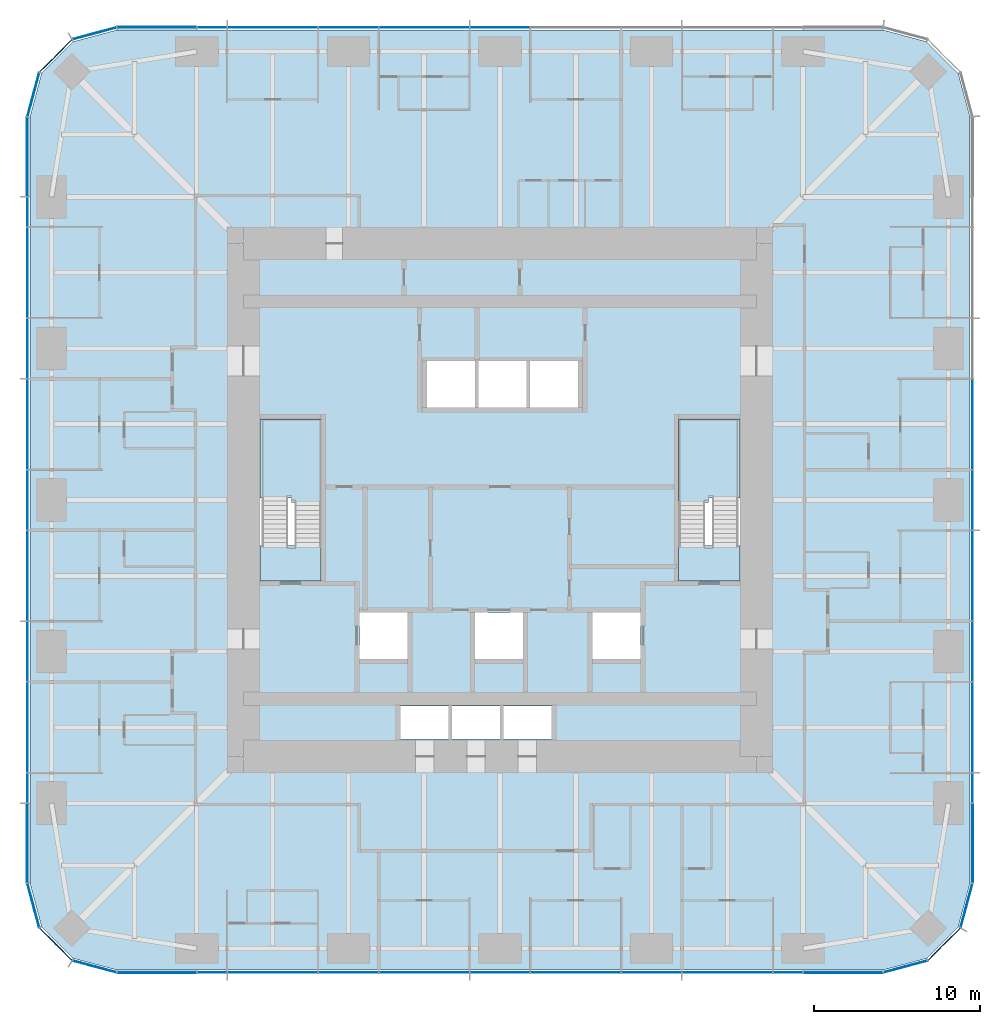
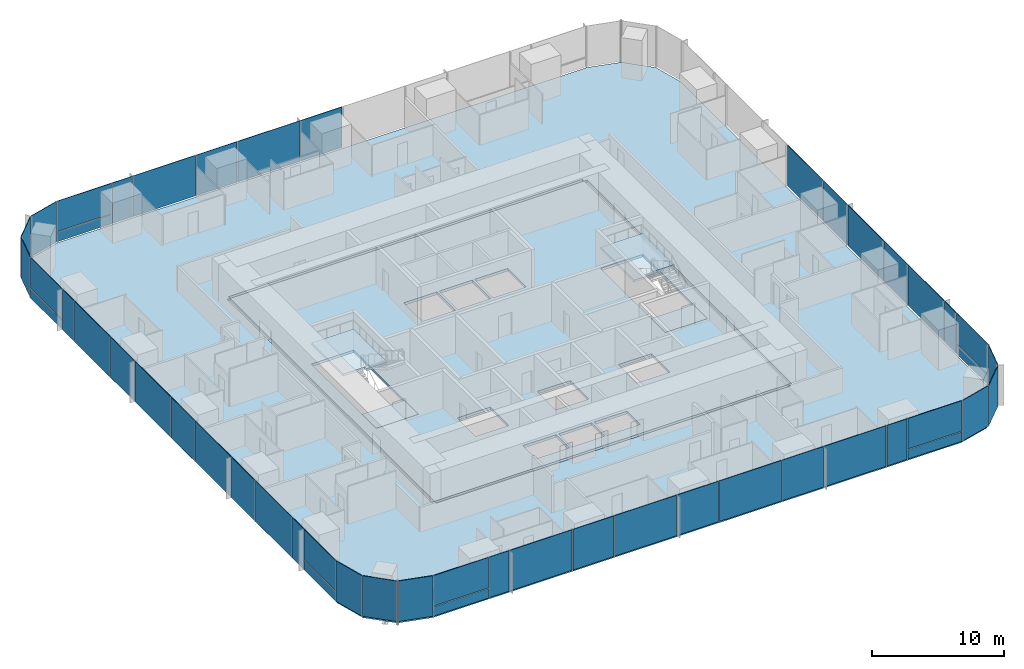
# One storey, part 7 of 13: 50 plates, 6 slabs, 9 elements without a shape of their own.
"""IFC4 building model written with IfcOpenShell, lengths in metres."""

from ifc_helpers import new_model, si_unit, direction, frame, origin, origin_2d, place, context, subcontext, project, spatial, polyline, rectangle, outline, extrude, material, layer, layer_set, type_object, element, aggregate, save


model = new_model("IFC4")

# Units and contexts
model_context = context("Model", 3, precision=1e-05, world=origin(), true_north=direction((0.0, 1.0)))
body_context = subcontext(model_context, "Body", "Model", "MODEL_VIEW")
ifc_project = project(units=[si_unit("LENGTHUNIT", "METRE"), si_unit("AREAUNIT", "SQUARE_METRE"), si_unit("VOLUMEUNIT", "CUBIC_METRE"), si_unit("PLANEANGLEUNIT", "RADIAN"), si_unit("MASSUNIT", "GRAM", prefix="KILO")], contexts=[model_context])

# Site, building, storey
site_placement = place(None, origin())
site = spatial("IfcSite", under=ifc_project, at=site_placement, CompositionType="ELEMENT")
building_placement = place(site_placement, origin())
building = spatial("IfcBuilding", under=site, at=building_placement, Name="Khuree Lantern Residences", CompositionType="ELEMENT")
storey_placement = place(building_placement, frame((0.0, 0.0, 159.75)))
storey = spatial("IfcBuildingStorey", under=building, at=storey_placement, Name="L40", CompositionType="ELEMENT", Elevation=159.75)

# Slab
ifc_material_1 = material(Name="Concrete C35/45", Category="concrete")
ifc_layer_1 = layer(ifc_material_1, 0.25)
ifc_layer_set_1 = layer_set([ifc_layer_1], Name="CFL250 CORE FLOOR SLAB 250")
slab_type_1 = type_object("IfcSlabType", Name="CFL250 CORE FLOOR SLAB 250", PredefinedType="FLOOR", material=ifc_layer_set_1)
slab_1_placement = place(storey_placement, frame((0.0, 0.0, -0.25)))
element("IfcSlab", 1, at=slab_1_placement, inside=storey, type_object=slab_type_1, Name="Core floor L40", PredefinedType="FLOOR", context=body_context, shape_type="SweptSolid", body=[
    extrude(outline(polyline([(-15.5, -15.5), (-15.5, 15.5), (15.5, 15.5), (15.5, -15.5), (-15.5, -15.5)]), holes=[polyline([(10.800048828125, 4.89990234375), (10.800048828125, -4.89990234375), (14.5, -4.89990234375), (14.5, 4.89990234375), (10.800048828125, 4.89990234375)]), polyline([(8.5, -6.800048828125), (5.60009765625, -6.800048828125), (5.60009765625, -9.60009765625), (8.5, -9.60009765625), (8.5, -6.800048828125)]), polyline([(4.699951171875, 8.39990234375), (1.800048828125, 8.39990234375), (1.800048828125, 5.60009765625), (4.699951171875, 5.60009765625), (4.699951171875, 8.39990234375)]), polyline([(3.10009765625, -12.449951171875), (0.199951171875, -12.449951171875), (0.199951171875, -14.449951171875), (3.10009765625, -14.449951171875), (3.10009765625, -12.449951171875)]), polyline([(1.60009765625, 8.39990234375), (-1.300048828125, 8.39990234375), (-1.300048828125, 5.60009765625), (1.60009765625, 5.60009765625), (1.60009765625, 8.39990234375)]), polyline([(1.39990234375, -6.800048828125), (-1.5, -6.800048828125), (-1.5, -9.60009765625), (1.39990234375, -9.60009765625), (1.39990234375, -6.800048828125)]), polyline([(-2.89990234375, -12.449951171875), (-2.89990234375, -14.449951171875), (0.0, -14.449951171875), (0.0, -12.449951171875), (-2.89990234375, -12.449951171875)]), polyline([(-4.39990234375, 8.39990234375), (-4.39990234375, 5.60009765625), (-1.5, 5.60009765625), (-1.5, 8.39990234375), (-4.39990234375, 8.39990234375)]), polyline([(-6.0, -12.449951171875), (-6.0, -14.449951171875), (-3.10009765625, -14.449951171875), (-3.10009765625, -12.449951171875), (-6.0, -12.449951171875)]), polyline([(-8.5, -6.800048828125), (-8.5, -9.60009765625), (-5.60009765625, -9.60009765625), (-5.60009765625, -6.800048828125), (-8.5, -6.800048828125)]), polyline([(-10.800048828125, 4.89990234375), (-14.5, 4.89990234375), (-14.5, -4.89990234375), (-10.800048828125, -4.89990234375), (-10.800048828125, 4.89990234375)])]), origin(), (0.0, 0.0, 1.0), 0.25),
])

# Curtain wall, plates
ifc_material_2 = material(Name="Bronze anodised aluminium", Category="aluminium")
curtain_wall_type_1 = type_object("IfcCurtainWallType", Name="CW-T2 TOWER CORNER CURTAIN WALL", PredefinedType="USERDEFINED", material=ifc_material_2)
curtain_wall_1_placement = place(storey_placement, origin())
curtain_wall_1 = element("IfcCurtainWall", 2, at=curtain_wall_1_placement, inside=storey, type_object=curtain_wall_type_1, Name="L40 SOUTH-EAST CORNER CURTAIN WALL", ObjectType="Faceted corner curtain wall", PredefinedType="USERDEFINED")
ifc_material_3 = material(Name="Bronze tinted triple glazing", Category="glass")
ifc_layer_2 = layer(ifc_material_3, 0.048095703125)
ifc_layer_set_2 = layer_set([ifc_layer_2], Name="FACET PANEL P4")
plate_type_1 = type_object("IfcPlateType", Name="FACET PANEL P4", PredefinedType="CURTAIN_PANEL", material=ifc_layer_set_2)
plate_1_placement = place(storey_placement, frame((24.498046875, -28.188720703125, 0.0), z_axis=(0.0, 0.0, 1.0), x_axis=(0.965925810153, 0.258819105321, 0.0)))
plate_1 = element("IfcPlate", 3, at=plate_1_placement, type_object=plate_type_1, Name="L40 SOUTH-EAST CORNER PANEL 1.1", PredefinedType="CURTAIN_PANEL", context=body_context, shape_type="SweptSolid", body=[
    extrude(rectangle(XDim=2.71923828125, YDim=0.048095703125, at=origin_2d()), origin(), (0.0, 0.0, 1.0), 3.75),
])
plate_2_placement = place(storey_placement, frame((26.83837890625, -26.83837890625, 0.0), z_axis=(0.0, 0.0, 1.0), x_axis=(0.707106781187, 0.707106781187, 0.0)))
plate_2 = element("IfcPlate", 4, at=plate_2_placement, type_object=plate_type_1, Name="L40 SOUTH-EAST CORNER PANEL 2.1", PredefinedType="CURTAIN_PANEL", context=body_context, shape_type="SweptSolid", body=[
    extrude(rectangle(XDim=2.715087890625, YDim=0.048095703125, at=origin_2d()), origin(), (0.0, 0.0, 1.0), 3.75),
])
plate_3_placement = place(storey_placement, frame((28.188720703125, -24.498046875, 0.0), z_axis=(0.0, 0.0, 1.0), x_axis=(0.258819105321, 0.965925810153, 0.0)))
plate_3 = element("IfcPlate", 5, at=plate_3_placement, type_object=plate_type_1, Name="L40 SOUTH-EAST CORNER PANEL 3.1", PredefinedType="CURTAIN_PANEL", context=body_context, shape_type="SweptSolid", body=[
    extrude(rectangle(XDim=2.71923828125, YDim=0.048095703125, at=origin_2d()), origin(), (0.0, 0.0, 1.0), 3.75),
])
aggregate(curtain_wall_1, [plate_1, plate_2, plate_3])

curtain_wall_2_placement = place(storey_placement, origin())
curtain_wall_2 = element("IfcCurtainWall", 6, at=curtain_wall_2_placement, inside=storey, type_object=curtain_wall_type_1, Name="L40 NORTH-WEST CORNER CURTAIN WALL", ObjectType="Faceted corner curtain wall", PredefinedType="USERDEFINED")
plate_4_placement = place(storey_placement, frame((-24.498046875, 28.188720703125, 0.0), z_axis=(0.0, 0.0, 1.0), x_axis=(-0.965925810153, -0.258819105321, 0.0)))
plate_4 = element("IfcPlate", 7, at=plate_4_placement, type_object=plate_type_1, Name="L40 NORTH-WEST CORNER PANEL 29.1", PredefinedType="CURTAIN_PANEL", context=body_context, shape_type="SweptSolid", body=[
    extrude(rectangle(XDim=2.71923828125, YDim=0.048095703125, at=origin_2d()), origin(), (0.0, 0.0, 1.0), 3.75),
])
plate_5_placement = place(storey_placement, frame((-26.83837890625, 26.83837890625, 0.0), z_axis=(0.0, 0.0, 1.0), x_axis=(-0.707106781187, -0.707106781187, 0.0)))
plate_5 = element("IfcPlate", 8, at=plate_5_placement, type_object=plate_type_1, Name="L40 NORTH-WEST CORNER PANEL 30.1", PredefinedType="CURTAIN_PANEL", context=body_context, shape_type="SweptSolid", body=[
    extrude(rectangle(XDim=2.715087890625, YDim=0.048095703125, at=origin_2d()), origin(), (0.0, 0.0, 1.0), 3.75),
])
plate_6_placement = place(storey_placement, frame((-28.188720703125, 24.498046875, 0.0), z_axis=(0.0, 0.0, 1.0), x_axis=(-0.258819105321, -0.965925810153, 0.0)))
plate_6 = element("IfcPlate", 9, at=plate_6_placement, type_object=plate_type_1, Name="L40 NORTH-WEST CORNER PANEL 31.1", PredefinedType="CURTAIN_PANEL", context=body_context, shape_type="SweptSolid", body=[
    extrude(rectangle(XDim=2.71923828125, YDim=0.048095703125, at=origin_2d()), origin(), (0.0, 0.0, 1.0), 3.75),
])
aggregate(curtain_wall_2, [plate_4, plate_5, plate_6])

curtain_wall_3_placement = place(storey_placement, origin())
curtain_wall_3 = element("IfcCurtainWall", 10, at=curtain_wall_3_placement, inside=storey, type_object=curtain_wall_type_1, Name="L40 SOUTH-WEST CORNER CURTAIN WALL", ObjectType="Faceted corner curtain wall", PredefinedType="USERDEFINED")
plate_7_placement = place(storey_placement, frame((-28.188720703125, -24.498046875, 0.0), z_axis=(0.0, 0.0, 1.0), x_axis=(0.258819105321, -0.965925810153, 0.0)))
plate_7 = element("IfcPlate", 11, at=plate_7_placement, type_object=plate_type_1, Name="L40 SOUTH-WEST CORNER PANEL 43.1", PredefinedType="CURTAIN_PANEL", context=body_context, shape_type="SweptSolid", body=[
    extrude(rectangle(XDim=2.71923828125, YDim=0.048095703125, at=origin_2d()), origin(), (0.0, 0.0, 1.0), 3.75),
])
plate_8_placement = place(storey_placement, frame((-26.83837890625, -26.83837890625, 0.0), z_axis=(0.0, 0.0, 1.0), x_axis=(0.707106781187, -0.707106781187, 0.0)))
plate_8 = element("IfcPlate", 12, at=plate_8_placement, type_object=plate_type_1, Name="L40 SOUTH-WEST CORNER PANEL 44.1", PredefinedType="CURTAIN_PANEL", context=body_context, shape_type="SweptSolid", body=[
    extrude(rectangle(XDim=2.715087890625, YDim=0.048095703125, at=origin_2d()), origin(), (0.0, 0.0, 1.0), 3.75),
])
plate_9_placement = place(storey_placement, frame((-24.498046875, -28.188720703125, 0.0), z_axis=(0.0, 0.0, 1.0), x_axis=(0.965925810153, -0.258819105321, 0.0)))
plate_9 = element("IfcPlate", 13, at=plate_9_placement, type_object=plate_type_1, Name="L40 SOUTH-WEST CORNER PANEL 45.1", PredefinedType="CURTAIN_PANEL", context=body_context, shape_type="SweptSolid", body=[
    extrude(rectangle(XDim=2.71923828125, YDim=0.048095703125, at=origin_2d()), origin(), (0.0, 0.0, 1.0), 3.75),
])
aggregate(curtain_wall_3, [plate_7, plate_8, plate_9])

curtain_wall_type_2 = type_object("IfcCurtainWallType", Name="CW-T1 TOWER FACE CURTAIN WALL", PredefinedType="USERDEFINED", material=ifc_material_2)
curtain_wall_4_placement = place(storey_placement, origin())
curtain_wall_4 = element("IfcCurtainWall", 14, at=curtain_wall_4_placement, inside=storey, type_object=curtain_wall_type_2, Name="L40 EAST FACE CURTAIN WALL", ObjectType="Stick-built curtain wall", PredefinedType="USERDEFINED")
ifc_material_4 = material(Name="Bronze tinted triple glazing with a ceramic-fritted spandrel band", Category="glass")
ifc_layer_3 = layer(ifc_material_4, 0.048095703125)
ifc_layer_set_3 = layer_set([ifc_layer_3], Name="FIXED LIGHT PANEL P11")
plate_type_2 = type_object("IfcPlateType", Name="FIXED LIGHT PANEL P11", PredefinedType="CURTAIN_PANEL", material=ifc_layer_set_3)
plate_10_placement = place(storey_placement, frame((28.550048828125, -13.739990234375, 0.0), z_axis=(0.0, 0.0, 1.0), x_axis=(0.0, 1.0, 0.0)))
plate_10 = element("IfcPlate", 15, at=plate_10_placement, type_object=plate_type_2, Name="L40 EAST FACE PANEL 6.1", PredefinedType="CURTAIN_PANEL", context=body_context, shape_type="SweptSolid", body=[
    extrude(rectangle(XDim=5.430908203125, YDim=0.048095703125, at=origin_2d()), origin(), (0.0, 0.0, 1.0), 3.75),
])
plate_11_placement = place(storey_placement, frame((28.550048828125, -4.580078125, 0.0), z_axis=(0.0, 0.0, 1.0), x_axis=(0.0, 1.0, 0.0)))
plate_11 = element("IfcPlate", 16, at=plate_11_placement, type_object=plate_type_2, Name="L40 EAST FACE PANEL 8.1", PredefinedType="CURTAIN_PANEL", context=body_context, shape_type="SweptSolid", body=[
    extrude(rectangle(XDim=5.430908203125, YDim=0.048095703125, at=origin_2d()), origin(), (0.0, 0.0, 1.0), 3.75),
])
plate_12_placement = place(storey_placement, frame((28.550048828125, 4.580078125, 0.0), z_axis=(0.0, 0.0, 1.0), x_axis=(0.0, 1.0, 0.0)))
plate_12 = element("IfcPlate", 17, at=plate_12_placement, type_object=plate_type_2, Name="L40 EAST FACE PANEL 10.1", PredefinedType="CURTAIN_PANEL", context=body_context, shape_type="SweptSolid", body=[
    extrude(rectangle(XDim=5.430908203125, YDim=0.048095703125, at=origin_2d()), origin(), (0.0, 0.0, 1.0), 3.75),
])

curtain_wall_5_placement = place(storey_placement, origin())
curtain_wall_5 = element("IfcCurtainWall", 18, at=curtain_wall_5_placement, inside=storey, type_object=curtain_wall_type_2, Name="L40 NORTH FACE CURTAIN WALL", ObjectType="Stick-built curtain wall", PredefinedType="USERDEFINED")
plate_13_placement = place(storey_placement, frame((-4.580078125, 28.550048828125, 0.0), z_axis=(0.0, 0.0, 1.0), x_axis=(-1.0, 0.0, 0.0)))
plate_13 = element("IfcPlate", 19, at=plate_13_placement, type_object=plate_type_2, Name="L40 NORTH FACE PANEL 24.1", PredefinedType="CURTAIN_PANEL", context=body_context, shape_type="SweptSolid", body=[
    extrude(rectangle(XDim=5.430908203125, YDim=0.048095703125, at=origin_2d()), origin(), (0.0, 0.0, 1.0), 3.75),
])
plate_14_placement = place(storey_placement, frame((-13.739990234375, 28.550048828125, 0.0), z_axis=(0.0, 0.0, 1.0), x_axis=(-1.0, 0.0, 0.0)))
plate_14 = element("IfcPlate", 20, at=plate_14_placement, type_object=plate_type_2, Name="L40 NORTH FACE PANEL 26.1", PredefinedType="CURTAIN_PANEL", context=body_context, shape_type="SweptSolid", body=[
    extrude(rectangle(XDim=5.430908203125, YDim=0.048095703125, at=origin_2d()), origin(), (0.0, 0.0, 1.0), 3.75),
])

curtain_wall_6_placement = place(storey_placement, origin())
curtain_wall_6 = element("IfcCurtainWall", 21, at=curtain_wall_6_placement, inside=storey, type_object=curtain_wall_type_2, Name="L40 WEST FACE CURTAIN WALL", ObjectType="Stick-built curtain wall", PredefinedType="USERDEFINED")
plate_15_placement = place(storey_placement, frame((-28.550048828125, 13.739990234375, 0.0), z_axis=(0.0, 0.0, 1.0), x_axis=(0.0, -1.0, 0.0)))
plate_15 = element("IfcPlate", 22, at=plate_15_placement, type_object=plate_type_2, Name="L40 WEST FACE PANEL 34.1", PredefinedType="CURTAIN_PANEL", context=body_context, shape_type="SweptSolid", body=[
    extrude(rectangle(XDim=5.430908203125, YDim=0.048095703125, at=origin_2d()), origin(), (0.0, 0.0, 1.0), 3.75),
])
plate_16_placement = place(storey_placement, frame((-28.550048828125, 4.580078125, 0.0), z_axis=(0.0, 0.0, 1.0), x_axis=(0.0, -1.0, 0.0)))
plate_16 = element("IfcPlate", 23, at=plate_16_placement, type_object=plate_type_2, Name="L40 WEST FACE PANEL 36.1", PredefinedType="CURTAIN_PANEL", context=body_context, shape_type="SweptSolid", body=[
    extrude(rectangle(XDim=5.430908203125, YDim=0.048095703125, at=origin_2d()), origin(), (0.0, 0.0, 1.0), 3.75),
])
plate_17_placement = place(storey_placement, frame((-28.550048828125, -4.580078125, 0.0), z_axis=(0.0, 0.0, 1.0), x_axis=(0.0, -1.0, 0.0)))
plate_17 = element("IfcPlate", 24, at=plate_17_placement, type_object=plate_type_2, Name="L40 WEST FACE PANEL 38.1", PredefinedType="CURTAIN_PANEL", context=body_context, shape_type="SweptSolid", body=[
    extrude(rectangle(XDim=5.430908203125, YDim=0.048095703125, at=origin_2d()), origin(), (0.0, 0.0, 1.0), 3.75),
])
plate_18_placement = place(storey_placement, frame((-28.550048828125, -13.739990234375, 0.0), z_axis=(0.0, 0.0, 1.0), x_axis=(0.0, -1.0, 0.0)))
plate_18 = element("IfcPlate", 25, at=plate_18_placement, type_object=plate_type_2, Name="L40 WEST FACE PANEL 40.1", PredefinedType="CURTAIN_PANEL", context=body_context, shape_type="SweptSolid", body=[
    extrude(rectangle(XDim=5.430908203125, YDim=0.048095703125, at=origin_2d()), origin(), (0.0, 0.0, 1.0), 3.75),
])

curtain_wall_7_placement = place(storey_placement, origin())
curtain_wall_7 = element("IfcCurtainWall", 26, at=curtain_wall_7_placement, inside=storey, type_object=curtain_wall_type_2, Name="L40 SOUTH FACE CURTAIN WALL", ObjectType="Stick-built curtain wall", PredefinedType="USERDEFINED")
plate_19_placement = place(storey_placement, frame((-13.739990234375, -28.550048828125, 0.0), z_axis=(0.0, 0.0, 1.0), x_axis=(1.0, 0.0, 0.0)))
plate_19 = element("IfcPlate", 27, at=plate_19_placement, type_object=plate_type_2, Name="L40 SOUTH FACE PANEL 48.1", PredefinedType="CURTAIN_PANEL", context=body_context, shape_type="SweptSolid", body=[
    extrude(rectangle(XDim=5.430908203125, YDim=0.048095703125, at=origin_2d()), origin(), (0.0, 0.0, 1.0), 3.75),
])
plate_20_placement = place(storey_placement, frame((-4.580078125, -28.550048828125, 0.0), z_axis=(0.0, 0.0, 1.0), x_axis=(1.0, 0.0, 0.0)))
plate_20 = element("IfcPlate", 28, at=plate_20_placement, type_object=plate_type_2, Name="L40 SOUTH FACE PANEL 50.1", PredefinedType="CURTAIN_PANEL", context=body_context, shape_type="SweptSolid", body=[
    extrude(rectangle(XDim=5.430908203125, YDim=0.048095703125, at=origin_2d()), origin(), (0.0, 0.0, 1.0), 3.75),
])
plate_21_placement = place(storey_placement, frame((4.580078125, -28.550048828125, 0.0), z_axis=(0.0, 0.0, 1.0), x_axis=(1.0, 0.0, 0.0)))
plate_21 = element("IfcPlate", 29, at=plate_21_placement, type_object=plate_type_2, Name="L40 SOUTH FACE PANEL 52.1", PredefinedType="CURTAIN_PANEL", context=body_context, shape_type="SweptSolid", body=[
    extrude(rectangle(XDim=5.430908203125, YDim=0.048095703125, at=origin_2d()), origin(), (0.0, 0.0, 1.0), 3.75),
])
plate_22_placement = place(storey_placement, frame((13.739990234375, -28.550048828125, 0.0), z_axis=(0.0, 0.0, 1.0), x_axis=(1.0, 0.0, 0.0)))
plate_22 = element("IfcPlate", 30, at=plate_22_placement, type_object=plate_type_2, Name="L40 SOUTH FACE PANEL 54.1", PredefinedType="CURTAIN_PANEL", context=body_context, shape_type="SweptSolid", body=[
    extrude(rectangle(XDim=5.430908203125, YDim=0.048095703125, at=origin_2d()), origin(), (0.0, 0.0, 1.0), 3.75),
])

# Slab
ifc_layer_4 = layer(ifc_material_1, 0.25)
ifc_layer_set_4 = layer_set([ifc_layer_4], Name="FS250 FLOOR SLAB 250")
slab_type_2 = type_object("IfcSlabType", Name="FS250 FLOOR SLAB 250", PredefinedType="FLOOR", material=ifc_layer_set_4)
slab_2_placement = place(storey_placement, frame((0.0, 0.0, -0.25)))
element("IfcSlab", 31, at=slab_2_placement, inside=storey, type_object=slab_type_2, Name="Floor slab L40", PredefinedType="FLOOR", context=body_context, shape_type="SweptSolid", body=[
    extrude(outline(polyline([(-25.77490234375, -27.696533203125), (-27.696533203125, -25.77490234375), (-28.39990234375, -23.14990234375), (-28.39990234375, 23.14990234375), (-27.696533203125, 25.77490234375), (-25.77490234375, 27.696533203125), (-23.14990234375, 28.39990234375), (23.14990234375, 28.39990234375), (25.77490234375, 27.696533203125), (27.696533203125, 25.77490234375), (28.39990234375, 23.14990234375), (28.39990234375, -23.14990234375), (27.696533203125, -25.77490234375), (25.77490234375, -27.696533203125), (23.14990234375, -28.39990234375), (-23.14990234375, -28.39990234375), (-25.77490234375, -27.696533203125)]), holes=[polyline([(15.75, 15.5), (15.5, 15.5), (15.5, 15.75), (-15.5, 15.75), (-15.5, 15.5), (-15.75, 15.5), (-15.75, -15.5), (-15.5, -15.5), (-15.5, -15.75), (15.5, -15.75), (15.5, -15.5), (15.75, -15.5), (15.75, 15.5)])]), origin(), (0.0, 0.0, 1.0), 0.25),
])

# Plate
ifc_material_5 = material(Name="Bronze tinted triple glazing, two aluminium-framed sashes in one frame", Category="aluminium")
ifc_layer_5 = layer(ifc_material_5, 0.048095703125)
ifc_layer_set_5 = layer_set([ifc_layer_5], Name="SASH PAIR PANEL P12")
plate_type_3 = type_object("IfcPlateType", Name="SASH PAIR PANEL P12", PredefinedType="CURTAIN_PANEL", material=ifc_layer_set_5)
plate_23_placement = place(storey_placement, frame((28.550048828125, -9.159912109375, 0.0), z_axis=(0.0, 0.0, 1.0), x_axis=(0.0, 1.0, 0.0)))
plate_23 = element("IfcPlate", 32, at=plate_23_placement, type_object=plate_type_3, Name="L40 EAST FACE PANEL 7.1", PredefinedType="CURTAIN_PANEL", context=body_context, shape_type="SweptSolid", body=[
    extrude(rectangle(XDim=3.59912109375, YDim=0.048095703125, at=origin_2d()), origin(), (0.0, 0.0, 1.0), 3.75),
])

plate_24_placement = place(storey_placement, frame((28.550048828125, 0.0, 0.0), z_axis=(0.0, 0.0, 1.0), x_axis=(0.0, 1.0, 0.0)))
plate_24 = element("IfcPlate", 33, at=plate_24_placement, type_object=plate_type_3, Name="L40 EAST FACE PANEL 9.1", PredefinedType="CURTAIN_PANEL", context=body_context, shape_type="SweptSolid", body=[
    extrude(rectangle(XDim=3.59912109375, YDim=0.048095703125, at=origin_2d()), origin(), (0.0, 0.0, 1.0), 3.75),
])

plate_25_placement = place(storey_placement, frame((0.0, 28.550048828125, 0.0), z_axis=(0.0, 0.0, 1.0), x_axis=(-1.0, 0.0, 0.0)))
plate_25 = element("IfcPlate", 34, at=plate_25_placement, type_object=plate_type_3, Name="L40 NORTH FACE PANEL 23.1", PredefinedType="CURTAIN_PANEL", context=body_context, shape_type="SweptSolid", body=[
    extrude(rectangle(XDim=3.59912109375, YDim=0.048095703125, at=origin_2d()), origin(), (0.0, 0.0, 1.0), 3.75),
])

plate_26_placement = place(storey_placement, frame((-9.159912109375, 28.550048828125, 0.0), z_axis=(0.0, 0.0, 1.0), x_axis=(-1.0, 0.0, 0.0)))
plate_26 = element("IfcPlate", 35, at=plate_26_placement, type_object=plate_type_3, Name="L40 NORTH FACE PANEL 25.1", PredefinedType="CURTAIN_PANEL", context=body_context, shape_type="SweptSolid", body=[
    extrude(rectangle(XDim=3.59912109375, YDim=0.048095703125, at=origin_2d()), origin(), (0.0, 0.0, 1.0), 3.75),
])

plate_27_placement = place(storey_placement, frame((-28.550048828125, 9.159912109375, 0.0), z_axis=(0.0, 0.0, 1.0), x_axis=(0.0, -1.0, 0.0)))
plate_27 = element("IfcPlate", 36, at=plate_27_placement, type_object=plate_type_3, Name="L40 WEST FACE PANEL 35.1", PredefinedType="CURTAIN_PANEL", context=body_context, shape_type="SweptSolid", body=[
    extrude(rectangle(XDim=3.59912109375, YDim=0.048095703125, at=origin_2d()), origin(), (0.0, 0.0, 1.0), 3.75),
])

plate_28_placement = place(storey_placement, frame((-28.550048828125, 0.0, 0.0), z_axis=(0.0, 0.0, 1.0), x_axis=(0.0, -1.0, 0.0)))
plate_28 = element("IfcPlate", 37, at=plate_28_placement, type_object=plate_type_3, Name="L40 WEST FACE PANEL 37.1", PredefinedType="CURTAIN_PANEL", context=body_context, shape_type="SweptSolid", body=[
    extrude(rectangle(XDim=3.59912109375, YDim=0.048095703125, at=origin_2d()), origin(), (0.0, 0.0, 1.0), 3.75),
])

plate_29_placement = place(storey_placement, frame((-28.550048828125, -9.159912109375, 0.0), z_axis=(0.0, 0.0, 1.0), x_axis=(0.0, -1.0, 0.0)))
plate_29 = element("IfcPlate", 38, at=plate_29_placement, type_object=plate_type_3, Name="L40 WEST FACE PANEL 39.1", PredefinedType="CURTAIN_PANEL", context=body_context, shape_type="SweptSolid", body=[
    extrude(rectangle(XDim=3.59912109375, YDim=0.048095703125, at=origin_2d()), origin(), (0.0, 0.0, 1.0), 3.75),
])

plate_30_placement = place(storey_placement, frame((-9.159912109375, -28.550048828125, 0.0), z_axis=(0.0, 0.0, 1.0), x_axis=(1.0, 0.0, 0.0)))
plate_30 = element("IfcPlate", 39, at=plate_30_placement, type_object=plate_type_3, Name="L40 SOUTH FACE PANEL 49.1", PredefinedType="CURTAIN_PANEL", context=body_context, shape_type="SweptSolid", body=[
    extrude(rectangle(XDim=3.59912109375, YDim=0.048095703125, at=origin_2d()), origin(), (0.0, 0.0, 1.0), 3.75),
])

plate_31_placement = place(storey_placement, frame((0.0, -28.550048828125, 0.0), z_axis=(0.0, 0.0, 1.0), x_axis=(1.0, 0.0, 0.0)))
plate_31 = element("IfcPlate", 40, at=plate_31_placement, type_object=plate_type_3, Name="L40 SOUTH FACE PANEL 51.1", PredefinedType="CURTAIN_PANEL", context=body_context, shape_type="SweptSolid", body=[
    extrude(rectangle(XDim=3.59912109375, YDim=0.048095703125, at=origin_2d()), origin(), (0.0, 0.0, 1.0), 3.75),
])

plate_32_placement = place(storey_placement, frame((9.159912109375, -28.550048828125, 0.0), z_axis=(0.0, 0.0, 1.0), x_axis=(1.0, 0.0, 0.0)))
plate_32 = element("IfcPlate", 41, at=plate_32_placement, type_object=plate_type_3, Name="L40 SOUTH FACE PANEL 53.1", PredefinedType="CURTAIN_PANEL", context=body_context, shape_type="SweptSolid", body=[
    extrude(rectangle(XDim=3.59912109375, YDim=0.048095703125, at=origin_2d()), origin(), (0.0, 0.0, 1.0), 3.75),
])

ifc_material_6 = material(Name="Bronze tinted triple glazing, aluminium-framed sash", Category="aluminium")
ifc_layer_6 = layer(ifc_material_6, 0.048095703125)
ifc_layer_set_6 = layer_set([ifc_layer_6], Name="SASH PANEL P3")
plate_type_4 = type_object("IfcPlateType", Name="SASH PANEL P3", PredefinedType="CURTAIN_PANEL", material=ifc_layer_set_6)
plate_33_placement = place(storey_placement, frame((28.550048828125, -17.404052734375, 0.0), z_axis=(0.0, 0.0, 1.0), x_axis=(0.0, 1.0, 0.0)))
plate_33 = element("IfcPlate", 42, at=plate_33_placement, type_object=plate_type_4, Name="L40 EAST FACE PANEL 5.1", PredefinedType="CURTAIN_PANEL", context=body_context, shape_type="SweptSolid", body=[
    extrude(rectangle(XDim=1.76708984375, YDim=0.048095703125, at=origin_2d()), origin(), (0.0, 0.0, 1.0), 3.75),
])

plate_34_placement = place(storey_placement, frame((-17.404052734375, 28.550048828125, 0.0), z_axis=(0.0, 0.0, 1.0), x_axis=(-1.0, 0.0, 0.0)))
plate_34 = element("IfcPlate", 43, at=plate_34_placement, type_object=plate_type_4, Name="L40 NORTH FACE PANEL 27.1", PredefinedType="CURTAIN_PANEL", context=body_context, shape_type="SweptSolid", body=[
    extrude(rectangle(XDim=1.76708984375, YDim=0.048095703125, at=origin_2d()), origin(), (0.0, 0.0, 1.0), 3.75),
])

plate_35_placement = place(storey_placement, frame((-28.550048828125, 17.404052734375, 0.0), z_axis=(0.0, 0.0, 1.0), x_axis=(0.0, -1.0, 0.0)))
plate_35 = element("IfcPlate", 44, at=plate_35_placement, type_object=plate_type_4, Name="L40 WEST FACE PANEL 33.1", PredefinedType="CURTAIN_PANEL", context=body_context, shape_type="SweptSolid", body=[
    extrude(rectangle(XDim=1.76708984375, YDim=0.048095703125, at=origin_2d()), origin(), (0.0, 0.0, 1.0), 3.75),
])

plate_36_placement = place(storey_placement, frame((-28.550048828125, -17.404052734375, 0.0), z_axis=(0.0, 0.0, 1.0), x_axis=(0.0, -1.0, 0.0)))
plate_36 = element("IfcPlate", 45, at=plate_36_placement, type_object=plate_type_4, Name="L40 WEST FACE PANEL 41.1", PredefinedType="CURTAIN_PANEL", context=body_context, shape_type="SweptSolid", body=[
    extrude(rectangle(XDim=1.76708984375, YDim=0.048095703125, at=origin_2d()), origin(), (0.0, 0.0, 1.0), 3.75),
])

plate_37_placement = place(storey_placement, frame((-17.404052734375, -28.550048828125, 0.0), z_axis=(0.0, 0.0, 1.0), x_axis=(1.0, 0.0, 0.0)))
plate_37 = element("IfcPlate", 46, at=plate_37_placement, type_object=plate_type_4, Name="L40 SOUTH FACE PANEL 47.1", PredefinedType="CURTAIN_PANEL", context=body_context, shape_type="SweptSolid", body=[
    extrude(rectangle(XDim=1.76708984375, YDim=0.048095703125, at=origin_2d()), origin(), (0.0, 0.0, 1.0), 3.75),
])

plate_38_placement = place(storey_placement, frame((17.404052734375, -28.550048828125, 0.0), z_axis=(0.0, 0.0, 1.0), x_axis=(1.0, 0.0, 0.0)))
plate_38 = element("IfcPlate", 47, at=plate_38_placement, type_object=plate_type_4, Name="L40 SOUTH FACE PANEL 55.1", PredefinedType="CURTAIN_PANEL", context=body_context, shape_type="SweptSolid", body=[
    extrude(rectangle(XDim=1.76708984375, YDim=0.048095703125, at=origin_2d()), origin(), (0.0, 0.0, 1.0), 3.75),
])

ifc_material_7 = material(Name="Bronze anodised aluminium insulated spandrel", Category="aluminium")
ifc_layer_7 = layer(ifc_material_7, 0.06005859375)
ifc_layer_set_7 = layer_set([ifc_layer_7], Name="SPANDREL PANEL P2")
plate_type_5 = type_object("IfcPlateType", Name="SPANDREL PANEL P2", PredefinedType="CURTAIN_PANEL", material=ifc_layer_set_7)
plate_39_placement = place(storey_placement, frame((28.550048828125, -20.73291015625, 0.0), z_axis=(0.0, 0.0, 1.0), x_axis=(0.0, 1.0, 0.0)))
plate_39 = element("IfcPlate", 48, at=plate_39_placement, type_object=plate_type_5, Name="L40 EAST FACE PANEL 4.1", PredefinedType="CURTAIN_PANEL", context=body_context, shape_type="SweptSolid", body=[
    extrude(rectangle(XDim=4.7607421875, YDim=0.06005859375, at=origin_2d()), origin(), (0.0, 0.0, 1.0), 0.867431640625),
])

plate_40_placement = place(storey_placement, frame((-20.73291015625, 28.550048828125, 0.0), z_axis=(0.0, 0.0, 1.0), x_axis=(-1.0, 0.0, 0.0)))
plate_40 = element("IfcPlate", 49, at=plate_40_placement, type_object=plate_type_5, Name="L40 NORTH FACE PANEL 28.1", PredefinedType="CURTAIN_PANEL", context=body_context, shape_type="SweptSolid", body=[
    extrude(rectangle(XDim=4.7607421875, YDim=0.06005859375, at=origin_2d()), origin(), (0.0, 0.0, 1.0), 0.867431640625),
])

plate_41_placement = place(storey_placement, frame((-28.550048828125, 20.73291015625, 0.0), z_axis=(0.0, 0.0, 1.0), x_axis=(0.0, -1.0, 0.0)))
plate_41 = element("IfcPlate", 50, at=plate_41_placement, type_object=plate_type_5, Name="L40 WEST FACE PANEL 32.1", PredefinedType="CURTAIN_PANEL", context=body_context, shape_type="SweptSolid", body=[
    extrude(rectangle(XDim=4.7607421875, YDim=0.06005859375, at=origin_2d()), origin(), (0.0, 0.0, 1.0), 0.867431640625),
])

plate_42_placement = place(storey_placement, frame((-28.550048828125, -20.73291015625, 0.0), z_axis=(0.0, 0.0, 1.0), x_axis=(0.0, -1.0, 0.0)))
plate_42 = element("IfcPlate", 51, at=plate_42_placement, type_object=plate_type_5, Name="L40 WEST FACE PANEL 42.1", PredefinedType="CURTAIN_PANEL", context=body_context, shape_type="SweptSolid", body=[
    extrude(rectangle(XDim=4.7607421875, YDim=0.06005859375, at=origin_2d()), origin(), (0.0, 0.0, 1.0), 0.867431640625),
])

plate_43_placement = place(storey_placement, frame((-20.73291015625, -28.550048828125, 0.0), z_axis=(0.0, 0.0, 1.0), x_axis=(1.0, 0.0, 0.0)))
plate_43 = element("IfcPlate", 52, at=plate_43_placement, type_object=plate_type_5, Name="L40 SOUTH FACE PANEL 46.1", PredefinedType="CURTAIN_PANEL", context=body_context, shape_type="SweptSolid", body=[
    extrude(rectangle(XDim=4.7607421875, YDim=0.06005859375, at=origin_2d()), origin(), (0.0, 0.0, 1.0), 0.867431640625),
])

plate_44_placement = place(storey_placement, frame((20.73291015625, -28.550048828125, 0.0), z_axis=(0.0, 0.0, 1.0), x_axis=(1.0, 0.0, 0.0)))
plate_44 = element("IfcPlate", 53, at=plate_44_placement, type_object=plate_type_5, Name="L40 SOUTH FACE PANEL 56.1", PredefinedType="CURTAIN_PANEL", context=body_context, shape_type="SweptSolid", body=[
    extrude(rectangle(XDim=4.7607421875, YDim=0.06005859375, at=origin_2d()), origin(), (0.0, 0.0, 1.0), 0.867431640625),
])

# Stair, slabs
ifc_material_8 = material(Name="Concrete C40/50", Category="concrete")
stair_type = type_object("IfcStairType", Name="STAIR ST1 HALF TURN 3600", PredefinedType="HALF_TURN_STAIR", material=ifc_material_8)
stair_1_placement = place(storey_placement, origin())
stair_1 = element("IfcStair", 54, at=stair_1_placement, inside=storey, type_object=stair_type, Name="Stair ST1", PredefinedType="HALF_TURN_STAIR")
ifc_layer_8 = layer(ifc_material_8, 0.199951171875)
ifc_layer_set_8 = layer_set([ifc_layer_8], Name="STAIR LANDING SL1 200")
slab_type_3 = type_object("IfcSlabType", Name="STAIR LANDING SL1 200", PredefinedType="LANDING", material=ifc_layer_set_8)
slab_3_placement = place(storey_placement, frame((0.0, 0.0, -0.199951171875)))
slab_3 = element("IfcSlab", 55, at=slab_3_placement, type_object=slab_type_3, Name="ST1 landing 1", PredefinedType="LANDING", context=body_context, shape_type="SweptSolid", body=[
    extrude(outline(polyline([(-14.5, -4.89990234375), (-10.800048828125, -4.89990234375), (-10.800048828125, -2.760009765625), (-14.5, -2.760009765625), (-14.5, -4.89990234375)])), origin(), (0.0, 0.0, 1.0), 0.199951171875),
])
slab_4_placement = place(storey_placement, frame((0.0, 0.0, 1.756591796875)))
slab_4 = element("IfcSlab", 56, at=slab_4_placement, type_object=slab_type_3, Name="ST1 landing 2", PredefinedType="LANDING", context=body_context, shape_type="SweptSolid", body=[
    extrude(outline(polyline([(-14.5, 0.1201171875), (-14.5, 4.89990234375), (-10.800048828125, 4.89990234375), (-10.800048828125, -0.159912109375), (-12.60009765625, -0.159912109375), (-12.60009765625, 0.1201171875), (-14.5, 0.1201171875)])), origin(), (0.0, 0.0, 1.0), 0.199951171875),
])
aggregate(stair_1, [slab_3, slab_4])

stair_2_placement = place(storey_placement, origin())
stair_2 = element("IfcStair", 57, at=stair_2_placement, inside=storey, type_object=stair_type, Name="Stair ST2", PredefinedType="HALF_TURN_STAIR")
slab_5_placement = place(storey_placement, frame((0.0, 0.0, -0.199951171875)))
slab_5 = element("IfcSlab", 58, at=slab_5_placement, type_object=slab_type_3, Name="ST2 landing 1", PredefinedType="LANDING", context=body_context, shape_type="SweptSolid", body=[
    extrude(outline(polyline([(10.800048828125, -4.89990234375), (14.5, -4.89990234375), (14.5, -2.760009765625), (10.800048828125, -2.760009765625), (10.800048828125, -4.89990234375)])), origin(), (0.0, 0.0, 1.0), 0.199951171875),
])
slab_6_placement = place(storey_placement, frame((0.0, 0.0, 1.756591796875)))
slab_6 = element("IfcSlab", 59, at=slab_6_placement, type_object=slab_type_3, Name="ST2 landing 2", PredefinedType="LANDING", context=body_context, shape_type="SweptSolid", body=[
    extrude(outline(polyline([(14.5, 4.89990234375), (14.5, 0.1201171875), (12.60009765625, 0.1201171875), (12.60009765625, -0.159912109375), (10.800048828125, -0.159912109375), (10.800048828125, 4.89990234375), (14.5, 4.89990234375)])), origin(), (0.0, 0.0, 1.0), 0.199951171875),
])
aggregate(stair_2, [slab_5, slab_6])

# Plate
ifc_layer_9 = layer(ifc_material_3, 0.048095703125)
ifc_layer_set_9 = layer_set([ifc_layer_9], Name="VISION PANEL P1")
plate_type_6 = type_object("IfcPlateType", Name="VISION PANEL P1", PredefinedType="CURTAIN_PANEL", material=ifc_layer_set_9)
plate_45_placement = place(storey_placement, frame((28.550048828125, -20.7333984375, 0.9326171875), z_axis=(0.0, 0.0, 1.0), x_axis=(0.0, 1.0, 0.0)))
plate_45 = element("IfcPlate", 60, at=plate_45_placement, type_object=plate_type_6, Name="L40 EAST FACE PANEL 4.2", PredefinedType="CURTAIN_PANEL", context=body_context, shape_type="SweptSolid", body=[
    extrude(rectangle(XDim=4.761474609375, YDim=0.048095703125, at=origin_2d()), origin(), (0.0, 0.0, 1.0), 2.8173828125),
])

aggregate(curtain_wall_4, [plate_39, plate_45, plate_33, plate_10, plate_23, plate_11, plate_24, plate_12])

plate_46_placement = place(storey_placement, frame((-20.7333984375, 28.550048828125, 0.9326171875), z_axis=(0.0, 0.0, 1.0), x_axis=(-1.0, 0.0, 0.0)))
plate_46 = element("IfcPlate", 61, at=plate_46_placement, type_object=plate_type_6, Name="L40 NORTH FACE PANEL 28.2", PredefinedType="CURTAIN_PANEL", context=body_context, shape_type="SweptSolid", body=[
    extrude(rectangle(XDim=4.761474609375, YDim=0.048095703125, at=origin_2d()), origin(), (0.0, 0.0, 1.0), 2.8173828125),
])

aggregate(curtain_wall_5, [plate_25, plate_13, plate_26, plate_14, plate_34, plate_40, plate_46])

plate_47_placement = place(storey_placement, frame((-28.550048828125, 20.7333984375, 0.9326171875), z_axis=(0.0, 0.0, 1.0), x_axis=(0.0, -1.0, 0.0)))
plate_47 = element("IfcPlate", 62, at=plate_47_placement, type_object=plate_type_6, Name="L40 WEST FACE PANEL 32.2", PredefinedType="CURTAIN_PANEL", context=body_context, shape_type="SweptSolid", body=[
    extrude(rectangle(XDim=4.761474609375, YDim=0.048095703125, at=origin_2d()), origin(), (0.0, 0.0, 1.0), 2.8173828125),
])

plate_48_placement = place(storey_placement, frame((-28.550048828125, -20.7333984375, 0.9326171875), z_axis=(0.0, 0.0, 1.0), x_axis=(0.0, -1.0, 0.0)))
plate_48 = element("IfcPlate", 63, at=plate_48_placement, type_object=plate_type_6, Name="L40 WEST FACE PANEL 42.2", PredefinedType="CURTAIN_PANEL", context=body_context, shape_type="SweptSolid", body=[
    extrude(rectangle(XDim=4.761474609375, YDim=0.048095703125, at=origin_2d()), origin(), (0.0, 0.0, 1.0), 2.8173828125),
])

aggregate(curtain_wall_6, [plate_41, plate_47, plate_35, plate_15, plate_27, plate_16, plate_28, plate_17, plate_29, plate_18, plate_36, plate_42, plate_48])

plate_49_placement = place(storey_placement, frame((-20.7333984375, -28.550048828125, 0.9326171875), z_axis=(0.0, 0.0, 1.0), x_axis=(1.0, 0.0, 0.0)))
plate_49 = element("IfcPlate", 64, at=plate_49_placement, type_object=plate_type_6, Name="L40 SOUTH FACE PANEL 46.2", PredefinedType="CURTAIN_PANEL", context=body_context, shape_type="SweptSolid", body=[
    extrude(rectangle(XDim=4.761474609375, YDim=0.048095703125, at=origin_2d()), origin(), (0.0, 0.0, 1.0), 2.8173828125),
])

plate_50_placement = place(storey_placement, frame((20.7333984375, -28.550048828125, 0.9326171875), z_axis=(0.0, 0.0, 1.0), x_axis=(1.0, 0.0, 0.0)))
plate_50 = element("IfcPlate", 65, at=plate_50_placement, type_object=plate_type_6, Name="L40 SOUTH FACE PANEL 56.2", PredefinedType="CURTAIN_PANEL", context=body_context, shape_type="SweptSolid", body=[
    extrude(rectangle(XDim=4.761474609375, YDim=0.048095703125, at=origin_2d()), origin(), (0.0, 0.0, 1.0), 2.8173828125),
])

aggregate(curtain_wall_7, [plate_43, plate_49, plate_37, plate_19, plate_30, plate_20, plate_31, plate_21, plate_32, plate_22, plate_38, plate_44, plate_50])

save(model, "model.ifc")
